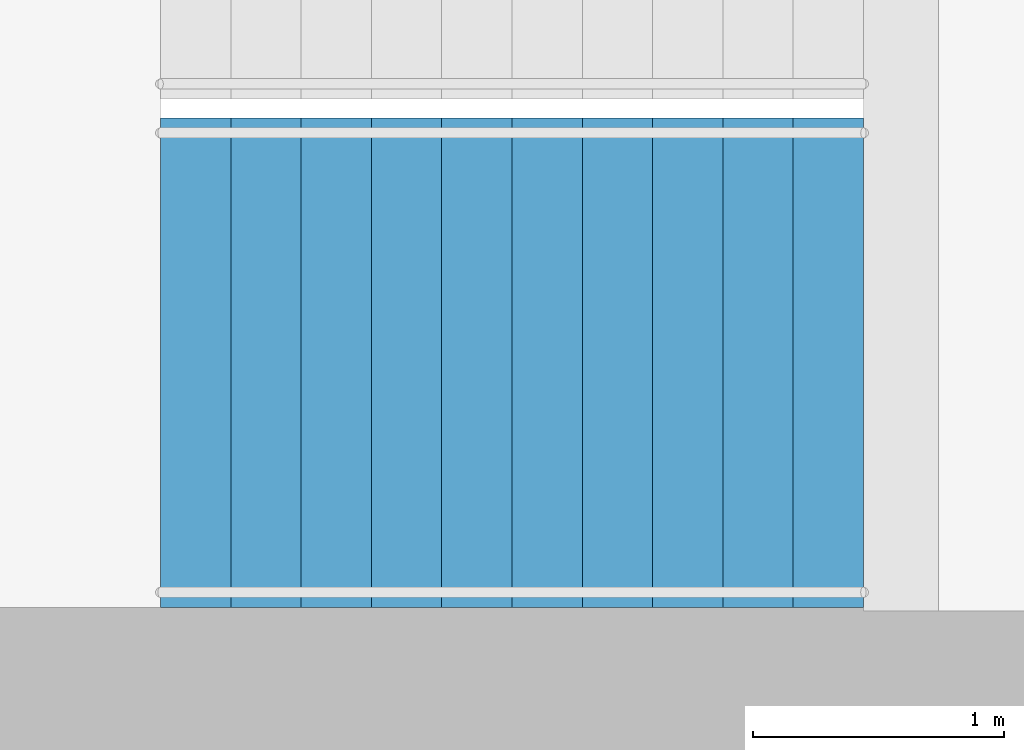
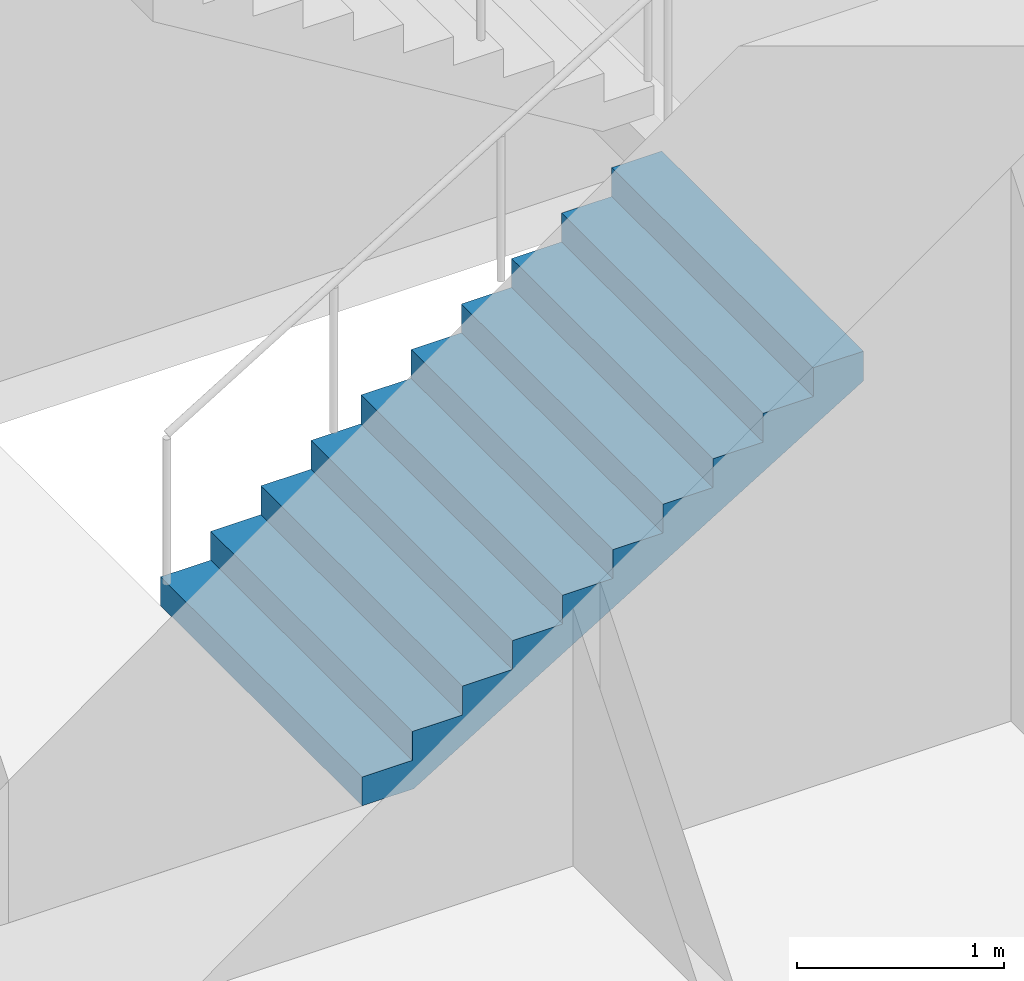
# One storey, part 18 of 22: 1 stair flight, 1 element without a shape of its own.
"""IFC4 building model written with IfcOpenShell, lengths in metres."""

from ifc_helpers import new_model, si_unit, direction, frame, origin, place, context, subcontext, project, spatial, triangles, material, type_object, element, aggregate, save


model = new_model("IFC4")

# Units and contexts
model_context = context("Model", 3, precision=1e-05, world=origin(), true_north=direction((0.0, 1.0)))
body_context = subcontext(model_context, "Body", "Model", "MODEL_VIEW")
ifc_project = project(units=[si_unit("LENGTHUNIT", "METRE"), si_unit("AREAUNIT", "SQUARE_METRE"), si_unit("VOLUMEUNIT", "CUBIC_METRE"), si_unit("PLANEANGLEUNIT", "RADIAN"), si_unit("MASSUNIT", "GRAM", prefix="KILO")], contexts=[model_context])

# Site, building, storey
site_placement = place(None, origin())
site = spatial("IfcSite", under=ifc_project, at=site_placement, CompositionType="ELEMENT")
building_placement = place(site_placement, origin())
building = spatial("IfcBuilding", under=site, at=building_placement, Name="Orbita Commons", CompositionType="ELEMENT")
storey_placement = place(building_placement, frame((0.0, 0.0, 121.89990234375)))
storey = spatial("IfcBuildingStorey", under=building, at=storey_placement, Name="L30", CompositionType="ELEMENT", Elevation=121.89990234375)

# Stair, stair flight
ifc_material_1 = material(Name="Precast concrete C40/50", Category="concrete")
stair_type = type_object("IfcStairType", Name="Exit stair S1 2 flights 11 risers 170", PredefinedType="HALF_TURN_STAIR", material=ifc_material_1)
stair_placement = place(storey_placement, origin())
stair = element("IfcStair", 1, at=stair_placement, inside=storey, type_object=stair_type, Name="Exit stair S1 L30", PredefinedType="HALF_TURN_STAIR")
ifc_material_2 = material(Name="Precast concrete C40/50", Category="concrete")
stair_flight_type = type_object("IfcStairFlightType", Name="Stair flight 11 risers 170 x 280", PredefinedType="STRAIGHT", material=ifc_material_2)
stair_flight_placement = place(storey_placement, frame((20.449951171875, 27.25, 0.0), z_axis=(0.0, 0.0, 1.0), x_axis=(1.0, 0.0, 0.0)))
stair_flight = element("IfcStairFlight", 2, at=stair_flight_placement, type_object=stair_flight_type, Name="S1 flight 1", NumberOfRisers=11, NumberOfTreads=10, PredefinedType="STRAIGHT", RiserHeight=0.170454545, TreadLength=0.28, context=body_context, shape_type="Tessellation", body=[
    triangles([(0.0, 0.974976, 0.0), (0.0, 0.974976, 0.021307), (0.0, 0.81248, 0.021307), (0.0, 0.81248, 0.0), (0.0, 0.649984, 0.021307), (0.0, 0.649984, 0.0), (0.0, 0.487488, 0.021307), (0.0, 0.487488, 0.0), (0.0, 0.324992, 0.021307), (0.0, 0.324992, 0.0), (0.0, 0.162496, 0.021307), (0.0, 0.162496, 0.0), (0.0, 0.0, 0.021307), (0.0, 0.0, 0.0), (0.0, -0.162496, 0.021307), (0.0, -0.162496, 0.0), (0.0, -0.324992, 0.021307), (0.0, -0.324992, 0.0), (0.0, -0.487488, 0.021307), (0.0, -0.487488, 0.0), (0.0, -0.649984, 0.021307), (0.0, -0.649984, 0.0), (0.0, -0.81248, 0.021307), (0.0, -0.81248, 0.0), (0.0, -0.974976, 0.021307), (0.0, -0.974976, 0.0), (0.0, 0.974976, 0.042614), (0.0, 0.81248, 0.042614), (0.0, 0.649984, 0.042614), (0.0, 0.487488, 0.042614), (0.0, 0.324992, 0.042614), (0.0, 0.162496, 0.042614), (0.0, 0.0, 0.042614), (0.0, -0.162496, 0.042614), (0.0, -0.324992, 0.042614), (0.0, -0.487488, 0.042614), (0.0, -0.649984, 0.042614), (0.0, -0.81248, 0.042614), (0.0, -0.974976, 0.042614), (0.0, 0.974976, 0.06392), (0.0, 0.81248, 0.06392), (0.0, 0.649984, 0.06392), (0.0, 0.487488, 0.06392), (0.0, 0.324992, 0.06392), (0.0, 0.162496, 0.06392), (0.0, 0.0, 0.06392), (0.0, -0.162496, 0.06392), (0.0, -0.324992, 0.06392), (0.0, -0.487488, 0.06392), (0.0, -0.649984, 0.06392), (0.0, -0.81248, 0.06392), (0.0, -0.974976, 0.06392), (0.0, 0.974976, 0.085227), (0.0, 0.81248, 0.085227), (0.0, 0.649984, 0.085227), (0.0, 0.487488, 0.085227), (0.0, 0.324992, 0.085227), (0.0, 0.162496, 0.085227), (0.0, 0.0, 0.085227), (0.0, -0.162496, 0.085227), (0.0, -0.324992, 0.085227), (0.0, -0.487488, 0.085227), (0.0, -0.649984, 0.085227), (0.0, -0.81248, 0.085227), (0.0, -0.974976, 0.085227), (0.0, 0.974976, 0.106534), (0.0, 0.81248, 0.106534), (0.0, 0.649984, 0.106534), (0.0, 0.487488, 0.106534), (0.0, 0.324992, 0.106534), (0.0, 0.162496, 0.106534), (0.0, 0.0, 0.106534), (0.0, -0.162496, 0.106534), (0.0, -0.324992, 0.106534), (0.0, -0.487488, 0.106534), (0.0, -0.649984, 0.106534), (0.0, -0.81248, 0.106534), (0.0, -0.974976, 0.106534), (0.0, 0.974976, 0.127841), (0.0, 0.81248, 0.127841), (0.0, 0.649984, 0.127841), (0.0, 0.487488, 0.127841), (0.0, 0.324992, 0.127841), (0.0, 0.162496, 0.127841), (0.0, 0.0, 0.127841), (0.0, -0.162496, 0.127841), (0.0, -0.324992, 0.127841), (0.0, -0.487488, 0.127841), (0.0, -0.649984, 0.127841), (0.0, -0.81248, 0.127841), (0.0, -0.974976, 0.127841), (0.0, 0.974976, 0.149148), (0.0, 0.81248, 0.149148), (0.0, 0.649984, 0.149148), (0.0, 0.487488, 0.149148), (0.0, 0.324992, 0.149148), (0.0, 0.162496, 0.149148), (0.0, 0.0, 0.149148), (0.0, -0.162496, 0.149148), (0.0, -0.324992, 0.149148), (0.0, -0.487488, 0.149148), (0.0, -0.649984, 0.149148), (0.0, -0.81248, 0.149148), (0.0, -0.974976, 0.149148), (0.0, 0.974976, 0.170455), (0.0, 0.81248, 0.170455), (0.0, 0.649984, 0.170455), (0.0, 0.487488, 0.170455), (0.0, 0.324992, 0.170455), (0.0, 0.162496, 0.170455), (0.0, 0.0, 0.170455), (0.0, -0.162496, 0.170455), (0.0, -0.324992, 0.170455), (0.0, -0.487488, 0.170455), (0.0, -0.649984, 0.170455), (0.0, -0.81248, 0.170455), (0.0, -0.974976, 0.170455), (0.28, 0.974976, 0.170455), (0.28, 0.81248, 0.170455), (0.28, 0.649984, 0.170455), (0.28, 0.487488, 0.170455), (0.28, 0.324992, 0.170455), (0.28, 0.162496, 0.170455), (0.28, 0.0, 0.170455), (0.28, -0.162496, 0.170455), (0.28, -0.324992, 0.170455), (0.28, -0.487488, 0.170455), (0.28, -0.649984, 0.170455), (0.28, -0.81248, 0.170455), (0.28, -0.974976, 0.170455), (0.28, 0.974976, 0.340909), (0.28, 0.81248, 0.340909), (0.28, 0.649984, 0.340909), (0.28, 0.487488, 0.340909), (0.28, 0.324992, 0.340909), (0.28, 0.162496, 0.340909), (0.28, 0.0, 0.340909), (0.28, -0.162496, 0.340909), (0.28, -0.324992, 0.340909), (0.28, -0.487488, 0.340909), (0.28, -0.649984, 0.340909), (0.28, -0.81248, 0.340909), (0.28, -0.974976, 0.340909), (0.56, 0.974976, 0.340909), (0.56, 0.81248, 0.340909), (0.56, 0.649984, 0.340909), (0.56, 0.487488, 0.340909), (0.56, 0.324992, 0.340909), (0.56, 0.162496, 0.340909), (0.56, 0.0, 0.340909), (0.56, -0.162496, 0.340909), (0.56, -0.324992, 0.340909), (0.56, -0.487488, 0.340909), (0.56, -0.649984, 0.340909), (0.56, -0.81248, 0.340909), (0.56, -0.974976, 0.340909), (0.56, 0.974976, 0.511364), (0.56, 0.81248, 0.511364), (0.56, 0.649984, 0.511364), (0.56, 0.487488, 0.511364), (0.56, 0.324992, 0.511364), (0.56, 0.162496, 0.511364), (0.56, 0.0, 0.511364), (0.56, -0.162496, 0.511364), (0.56, -0.324992, 0.511364), (0.56, -0.487488, 0.511364), (0.56, -0.649984, 0.511364), (0.56, -0.81248, 0.511364), (0.56, -0.974976, 0.511364), (0.84, 0.974976, 0.511364), (0.84, 0.81248, 0.511364), (0.84, 0.649984, 0.511364), (0.84, 0.487488, 0.511364), (0.84, 0.324992, 0.511364), (0.84, 0.162496, 0.511364), (0.84, 0.0, 0.511364), (0.84, -0.162496, 0.511364), (0.84, -0.324992, 0.511364), (0.84, -0.487488, 0.511364), (0.84, -0.649984, 0.511364), (0.84, -0.81248, 0.511364), (0.84, -0.974976, 0.511364), (0.84, 0.974976, 0.681818), (0.84, 0.81248, 0.681818), (0.84, 0.649984, 0.681818), (0.84, 0.487488, 0.681818), (0.84, 0.324992, 0.681818), (0.84, 0.162496, 0.681818), (0.84, 0.0, 0.681818), (0.84, -0.162496, 0.681818), (0.84, -0.324992, 0.681818), (0.84, -0.487488, 0.681818), (0.84, -0.649984, 0.681818), (0.84, -0.81248, 0.681818), (0.84, -0.974976, 0.681818), (1.12, 0.974976, 0.681818), (1.12, 0.81248, 0.681818), (1.12, 0.649984, 0.681818), (1.12, 0.487488, 0.681818), (1.12, 0.324992, 0.681818), (1.12, 0.162496, 0.681818), (1.12, 0.0, 0.681818), (1.12, -0.162496, 0.681818), (1.12, -0.324992, 0.681818), (1.12, -0.487488, 0.681818), (1.12, -0.649984, 0.681818), (1.12, -0.81248, 0.681818), (1.12, -0.974976, 0.681818), (1.12, 0.974976, 0.852273), (1.12, 0.81248, 0.852273), (1.12, 0.649984, 0.852273), (1.12, 0.487488, 0.852273), (1.12, 0.324992, 0.852273), (1.12, 0.162496, 0.852273), (1.12, 0.0, 0.852273), (1.12, -0.162496, 0.852273), (1.12, -0.324992, 0.852273), (1.12, -0.487488, 0.852273), (1.12, -0.649984, 0.852273), (1.12, -0.81248, 0.852273), (1.12, -0.974976, 0.852273), (1.4, 0.974976, 0.852273), (1.4, 0.81248, 0.852273), (1.4, 0.649984, 0.852273), (1.4, 0.487488, 0.852273), (1.4, 0.324992, 0.852273), (1.4, 0.162496, 0.852273), (1.4, 0.0, 0.852273), (1.4, -0.162496, 0.852273), (1.4, -0.324992, 0.852273), (1.4, -0.487488, 0.852273), (1.4, -0.649984, 0.852273), (1.4, -0.81248, 0.852273), (1.4, -0.974976, 0.852273), (1.4, 0.974976, 1.022727), (1.4, 0.81248, 1.022727), (1.4, 0.649984, 1.022727), (1.4, 0.487488, 1.022727), (1.4, 0.324992, 1.022727), (1.4, 0.162496, 1.022727), (1.4, 0.0, 1.022727), (1.4, -0.162496, 1.022727), (1.4, -0.324992, 1.022727), (1.4, -0.487488, 1.022727), (1.4, -0.649984, 1.022727), (1.4, -0.81248, 1.022727), (1.4, -0.974976, 1.022727), (1.68, 0.974976, 1.022727), (1.68, 0.81248, 1.022727), (1.68, 0.649984, 1.022727), (1.68, 0.487488, 1.022727), (1.68, 0.324992, 1.022727), (1.68, 0.162496, 1.022727), (1.68, 0.0, 1.022727), (1.68, -0.162496, 1.022727), (1.68, -0.324992, 1.022727), (1.68, -0.487488, 1.022727), (1.68, -0.649984, 1.022727), (1.68, -0.81248, 1.022727), (1.68, -0.974976, 1.022727), (1.68, 0.974976, 1.193182), (1.68, 0.81248, 1.193182), (1.68, 0.649984, 1.193182), (1.68, 0.487488, 1.193182), (1.68, 0.324992, 1.193182), (1.68, 0.162496, 1.193182), (1.68, 0.0, 1.193182), (1.68, -0.162496, 1.193182), (1.68, -0.324992, 1.193182), (1.68, -0.487488, 1.193182), (1.68, -0.649984, 1.193182), (1.68, -0.81248, 1.193182), (1.68, -0.974976, 1.193182), (1.96, 0.974976, 1.193182), (1.96, 0.81248, 1.193182), (1.96, 0.649984, 1.193182), (1.96, 0.487488, 1.193182), (1.96, 0.324992, 1.193182), (1.96, 0.162496, 1.193182), (1.96, 0.0, 1.193182), (1.96, -0.162496, 1.193182), (1.96, -0.324992, 1.193182), (1.96, -0.487488, 1.193182), (1.96, -0.649984, 1.193182), (1.96, -0.81248, 1.193182), (1.96, -0.974976, 1.193182), (1.96, 0.974976, 1.363636), (1.96, 0.81248, 1.363636), (1.96, 0.649984, 1.363636), (1.96, 0.487488, 1.363636), (1.96, 0.324992, 1.363636), (1.96, 0.162496, 1.363636), (1.96, 0.0, 1.363636), (1.96, -0.162496, 1.363636), (1.96, -0.324992, 1.363636), (1.96, -0.487488, 1.363636), (1.96, -0.649984, 1.363636), (1.96, -0.81248, 1.363636), (1.96, -0.974976, 1.363636), (2.24, 0.974976, 1.363636), (2.24, 0.81248, 1.363636), (2.24, 0.649984, 1.363636), (2.24, 0.487488, 1.363636), (2.24, 0.324992, 1.363636), (2.24, 0.162496, 1.363636), (2.24, 0.0, 1.363636), (2.24, -0.162496, 1.363636), (2.24, -0.324992, 1.363636), (2.24, -0.487488, 1.363636), (2.24, -0.649984, 1.363636), (2.24, -0.81248, 1.363636), (2.24, -0.974976, 1.363636), (2.24, 0.974976, 1.534091), (2.24, 0.81248, 1.534091), (2.24, 0.649984, 1.534091), (2.24, 0.487488, 1.534091), (2.24, 0.324992, 1.534091), (2.24, 0.162496, 1.534091), (2.24, 0.0, 1.534091), (2.24, -0.162496, 1.534091), (2.24, -0.324992, 1.534091), (2.24, -0.487488, 1.534091), (2.24, -0.649984, 1.534091), (2.24, -0.81248, 1.534091), (2.24, -0.974976, 1.534091), (2.52, 0.974976, 1.534091), (2.52, 0.81248, 1.534091), (2.52, 0.649984, 1.534091), (2.52, 0.487488, 1.534091), (2.52, 0.324992, 1.534091), (2.52, 0.162496, 1.534091), (2.52, 0.0, 1.534091), (2.52, -0.162496, 1.534091), (2.52, -0.324992, 1.534091), (2.52, -0.487488, 1.534091), (2.52, -0.649984, 1.534091), (2.52, -0.81248, 1.534091), (2.52, -0.974976, 1.534091), (2.52, 0.974976, 1.704545), (2.52, 0.81248, 1.704545), (2.52, 0.649984, 1.704545), (2.52, 0.487488, 1.704545), (2.52, 0.324992, 1.704545), (2.52, 0.162496, 1.704545), (2.52, 0.0, 1.704545), (2.52, -0.162496, 1.704545), (2.52, -0.324992, 1.704545), (2.52, -0.487488, 1.704545), (2.52, -0.649984, 1.704545), (2.52, -0.81248, 1.704545), (2.52, -0.974976, 1.704545), (2.8, 0.974976, 1.704545), (2.8, 0.81248, 1.704545), (2.8, 0.649984, 1.704545), (2.8, 0.487488, 1.704545), (2.8, 0.324992, 1.704545), (2.8, 0.162496, 1.704545), (2.8, 0.0, 1.704545), (2.8, -0.162496, 1.704545), (2.8, -0.324992, 1.704545), (2.8, -0.487488, 1.704545), (2.8, -0.649984, 1.704545), (2.8, -0.81248, 1.704545), (2.8, -0.974976, 1.704545), (2.8, 0.974976, 1.682609), (2.8, 0.81248, 1.682609), (2.8, 0.649984, 1.682609), (2.8, 0.487488, 1.682609), (2.8, 0.324992, 1.682609), (2.8, 0.162496, 1.682609), (2.8, 0.0, 1.682609), (2.8, -0.162496, 1.682609), (2.8, -0.324992, 1.682609), (2.8, -0.487488, 1.682609), (2.8, -0.649984, 1.682609), (2.8, -0.81248, 1.682609), (2.8, -0.974976, 1.682609), (2.8, 0.974976, 1.660672), (2.8, 0.81248, 1.660672), (2.8, 0.649984, 1.660672), (2.8, 0.487488, 1.660672), (2.8, 0.324992, 1.660672), (2.8, 0.162496, 1.660672), (2.8, 0.0, 1.660672), (2.8, -0.162496, 1.660672), (2.8, -0.324992, 1.660672), (2.8, -0.487488, 1.660672), (2.8, -0.649984, 1.660672), (2.8, -0.81248, 1.660672), (2.8, -0.974976, 1.660672), (2.8, 0.974976, 1.638735), (2.8, 0.81248, 1.638735), (2.8, 0.649984, 1.638735), (2.8, 0.487488, 1.638735), (2.8, 0.324992, 1.638735), (2.8, 0.162496, 1.638735), (2.8, 0.0, 1.638735), (2.8, -0.162496, 1.638735), (2.8, -0.324992, 1.638735), (2.8, -0.487488, 1.638735), (2.8, -0.649984, 1.638735), (2.8, -0.81248, 1.638735), (2.8, -0.974976, 1.638735), (2.8, 0.974976, 1.616798), (2.8, 0.81248, 1.616798), (2.8, 0.649984, 1.616798), (2.8, 0.487488, 1.616798), (2.8, 0.324992, 1.616798), (2.8, 0.162496, 1.616798), (2.8, 0.0, 1.616798), (2.8, -0.162496, 1.616798), (2.8, -0.324992, 1.616798), (2.8, -0.487488, 1.616798), (2.8, -0.649984, 1.616798), (2.8, -0.81248, 1.616798), (2.8, -0.974976, 1.616798), (2.8, 0.974976, 1.594861), (2.8, 0.81248, 1.594861), (2.8, 0.649984, 1.594861), (2.8, 0.487488, 1.594861), (2.8, 0.324992, 1.594861), (2.8, 0.162496, 1.594861), (2.8, 0.0, 1.594861), (2.8, -0.162496, 1.594861), (2.8, -0.324992, 1.594861), (2.8, -0.487488, 1.594861), (2.8, -0.649984, 1.594861), (2.8, -0.81248, 1.594861), (2.8, -0.974976, 1.594861), (2.8, 0.974976, 1.572925), (2.8, 0.81248, 1.572925), (2.8, 0.649984, 1.572925), (2.8, 0.487488, 1.572925), (2.8, 0.324992, 1.572925), (2.8, 0.162496, 1.572925), (2.8, 0.0, 1.572925), (2.8, -0.162496, 1.572925), (2.8, -0.324992, 1.572925), (2.8, -0.487488, 1.572925), (2.8, -0.649984, 1.572925), (2.8, -0.81248, 1.572925), (2.8, -0.974976, 1.572925), (2.8, 0.974976, 1.550988), (2.8, 0.81248, 1.550988), (2.8, 0.649984, 1.550988), (2.8, 0.487488, 1.550988), (2.8, 0.324992, 1.550988), (2.8, 0.162496, 1.550988), (2.8, 0.0, 1.550988), (2.8, -0.162496, 1.550988), (2.8, -0.324992, 1.550988), (2.8, -0.487488, 1.550988), (2.8, -0.649984, 1.550988), (2.8, -0.81248, 1.550988), (2.8, -0.974976, 1.550988), (2.8, 0.974976, 1.529051), (2.8, 0.81248, 1.529051), (2.8, 0.649984, 1.529051), (2.8, 0.487488, 1.529051), (2.8, 0.324992, 1.529051), (2.8, 0.162496, 1.529051), (2.8, 0.0, 1.529051), (2.8, -0.162496, 1.529051), (2.8, -0.324992, 1.529051), (2.8, -0.487488, 1.529051), (2.8, -0.649984, 1.529051), (2.8, -0.81248, 1.529051), (2.8, -0.974976, 1.529051), (0.288279, 0.974976, 0.0), (0.288279, 0.81248, 0.0), (0.288279, 0.649984, 0.0), (0.288279, 0.487488, 0.0), (0.288279, 0.324992, 0.0), (0.288279, 0.162496, 0.0), (0.288279, 0.0, 0.0), (0.288279, -0.162496, 0.0), (0.288279, -0.324992, 0.0), (0.288279, -0.487488, 0.0), (0.288279, -0.649984, 0.0), (0.288279, -0.81248, 0.0), (0.288279, -0.974976, 0.0)], [[3, 2, 1], [4, 3, 1], [5, 3, 4], [6, 5, 4], [7, 5, 6], [8, 7, 6], [9, 7, 8], [10, 9, 8], [11, 9, 10], [12, 11, 10], [13, 11, 12], [14, 13, 12], [15, 13, 14], [16, 15, 14], [17, 15, 16], [18, 17, 16], [19, 17, 18], [20, 19, 18], [21, 19, 20], [22, 21, 20], [23, 21, 22], [24, 23, 22], [25, 23, 24], [26, 25, 24], [28, 27, 2], [3, 28, 2], [29, 28, 3], [5, 29, 3], [30, 29, 5], [7, 30, 5], [31, 30, 7], [9, 31, 7], [32, 31, 9], [11, 32, 9], [33, 32, 11], [13, 33, 11], [34, 33, 13], [15, 34, 13], [35, 34, 15], [17, 35, 15], [36, 35, 17], [19, 36, 17], [37, 36, 19], [21, 37, 19], [38, 37, 21], [23, 38, 21], [39, 38, 23], [25, 39, 23], [41, 40, 27], [28, 41, 27], [42, 41, 28], [29, 42, 28], [43, 42, 29], [30, 43, 29], [44, 43, 30], [31, 44, 30], [45, 44, 31], [32, 45, 31], [46, 45, 32], [33, 46, 32], [47, 46, 33], [34, 47, 33], [48, 47, 34], [35, 48, 34], [49, 48, 35], [36, 49, 35], [50, 49, 36], [37, 50, 36], [51, 50, 37], [38, 51, 37], [52, 51, 38], [39, 52, 38], [54, 53, 40], [41, 54, 40], [55, 54, 41], [42, 55, 41], [56, 55, 42], [43, 56, 42], [57, 56, 43], [44, 57, 43], [58, 57, 44], [45, 58, 44], [59, 58, 45], [46, 59, 45], [60, 59, 46], [47, 60, 46], [61, 60, 47], [48, 61, 47], [62, 61, 48], [49, 62, 48], [63, 62, 49], [50, 63, 49], [64, 63, 50], [51, 64, 50], [65, 64, 51], [52, 65, 51], [67, 66, 53], [54, 67, 53], [68, 67, 54], [55, 68, 54], [69, 68, 55], [56, 69, 55], [70, 69, 56], [57, 70, 56], [71, 70, 57], [58, 71, 57], [72, 71, 58], [59, 72, 58], [73, 72, 59], [60, 73, 59], [74, 73, 60], [61, 74, 60], [75, 74, 61], [62, 75, 61], [76, 75, 62], [63, 76, 62], [77, 76, 63], [64, 77, 63], [78, 77, 64], [65, 78, 64], [80, 79, 66], [67, 80, 66], [81, 80, 67], [68, 81, 67], [82, 81, 68], [69, 82, 68], [83, 82, 69], [70, 83, 69], [84, 83, 70], [71, 84, 70], [85, 84, 71], [72, 85, 71], [86, 85, 72], [73, 86, 72], [87, 86, 73], [74, 87, 73], [88, 87, 74], [75, 88, 74], [89, 88, 75], [76, 89, 75], [90, 89, 76], [77, 90, 76], [91, 90, 77], [78, 91, 77], [93, 92, 79], [80, 93, 79], [94, 93, 80], [81, 94, 80], [95, 94, 81], [82, 95, 81], [96, 95, 82], [83, 96, 82], [97, 96, 83], [84, 97, 83], [98, 97, 84], [85, 98, 84], [99, 98, 85], [86, 99, 85], [100, 99, 86], [87, 100, 86], [101, 100, 87], [88, 101, 87], [102, 101, 88], [89, 102, 88], [103, 102, 89], [90, 103, 89], [104, 103, 90], [91, 104, 90], [106, 105, 92], [93, 106, 92], [107, 106, 93], [94, 107, 93], [108, 107, 94], [95, 108, 94], [109, 108, 95], [96, 109, 95], [110, 109, 96], [97, 110, 96], [111, 110, 97], [98, 111, 97], [112, 111, 98], [99, 112, 98], [113, 112, 99], [100, 113, 99], [114, 113, 100], [101, 114, 100], [115, 114, 101], [102, 115, 101], [116, 115, 102], [103, 116, 102], [117, 116, 103], [104, 117, 103], [119, 118, 105], [106, 119, 105], [120, 119, 106], [107, 120, 106], [121, 120, 107], [108, 121, 107], [122, 121, 108], [109, 122, 108], [123, 122, 109], [110, 123, 109], [124, 123, 110], [111, 124, 110], [125, 124, 111], [112, 125, 111], [126, 125, 112], [113, 126, 112], [127, 126, 113], [114, 127, 113], [128, 127, 114], [115, 128, 114], [129, 128, 115], [116, 129, 115], [130, 129, 116], [117, 130, 116], [132, 131, 118], [119, 132, 118], [133, 132, 119], [120, 133, 119], [134, 133, 120], [121, 134, 120], [135, 134, 121], [122, 135, 121], [136, 135, 122], [123, 136, 122], [137, 136, 123], [124, 137, 123], [138, 137, 124], [125, 138, 124], [139, 138, 125], [126, 139, 125], [140, 139, 126], [127, 140, 126], [141, 140, 127], [128, 141, 127], [142, 141, 128], [129, 142, 128], [143, 142, 129], [130, 143, 129], [145, 144, 131], [132, 145, 131], [146, 145, 132], [133, 146, 132], [147, 146, 133], [134, 147, 133], [148, 147, 134], [135, 148, 134], [149, 148, 135], [136, 149, 135], [150, 149, 136], [137, 150, 136], [151, 150, 137], [138, 151, 137], [152, 151, 138], [139, 152, 138], [153, 152, 139], [140, 153, 139], [154, 153, 140], [141, 154, 140], [155, 154, 141], [142, 155, 141], [156, 155, 142], [143, 156, 142], [158, 157, 144], [145, 158, 144], [159, 158, 145], [146, 159, 145], [160, 159, 146], [147, 160, 146], [161, 160, 147], [148, 161, 147], [162, 161, 148], [149, 162, 148], [163, 162, 149], [150, 163, 149], [164, 163, 150], [151, 164, 150], [165, 164, 151], [152, 165, 151], [166, 165, 152], [153, 166, 152], [167, 166, 153], [154, 167, 153], [168, 167, 154], [155, 168, 154], [169, 168, 155], [156, 169, 155], [171, 170, 157], [158, 171, 157], [172, 171, 158], [159, 172, 158], [173, 172, 159], [160, 173, 159], [174, 173, 160], [161, 174, 160], [175, 174, 161], [162, 175, 161], [176, 175, 162], [163, 176, 162], [177, 176, 163], [164, 177, 163], [178, 177, 164], [165, 178, 164], [179, 178, 165], [166, 179, 165], [180, 179, 166], [167, 180, 166], [181, 180, 167], [168, 181, 167], [182, 181, 168], [169, 182, 168], [184, 183, 170], [171, 184, 170], [185, 184, 171], [172, 185, 171], [186, 185, 172], [173, 186, 172], [187, 186, 173], [174, 187, 173], [188, 187, 174], [175, 188, 174], [189, 188, 175], [176, 189, 175], [190, 189, 176], [177, 190, 176], [191, 190, 177], [178, 191, 177], [192, 191, 178], [179, 192, 178], [193, 192, 179], [180, 193, 179], [194, 193, 180], [181, 194, 180], [195, 194, 181], [182, 195, 181], [197, 196, 183], [184, 197, 183], [198, 197, 184], [185, 198, 184], [199, 198, 185], [186, 199, 185], [200, 199, 186], [187, 200, 186], [201, 200, 187], [188, 201, 187], [202, 201, 188], [189, 202, 188], [203, 202, 189], [190, 203, 189], [204, 203, 190], [191, 204, 190], [205, 204, 191], [192, 205, 191], [206, 205, 192], [193, 206, 192], [207, 206, 193], [194, 207, 193], [208, 207, 194], [195, 208, 194], [210, 209, 196], [197, 210, 196], [211, 210, 197], [198, 211, 197], [212, 211, 198], [199, 212, 198], [213, 212, 199], [200, 213, 199], [214, 213, 200], [201, 214, 200], [215, 214, 201], [202, 215, 201], [216, 215, 202], [203, 216, 202], [217, 216, 203], [204, 217, 203], [218, 217, 204], [205, 218, 204], [219, 218, 205], [206, 219, 205], [220, 219, 206], [207, 220, 206], [221, 220, 207], [208, 221, 207], [223, 222, 209], [210, 223, 209], [224, 223, 210], [211, 224, 210], [225, 224, 211], [212, 225, 211], [226, 225, 212], [213, 226, 212], [227, 226, 213], [214, 227, 213], [228, 227, 214], [215, 228, 214], [229, 228, 215], [216, 229, 215], [230, 229, 216], [217, 230, 216], [231, 230, 217], [218, 231, 217], [232, 231, 218], [219, 232, 218], [233, 232, 219], [220, 233, 219], [234, 233, 220], [221, 234, 220], [236, 235, 222], [223, 236, 222], [237, 236, 223], [224, 237, 223], [238, 237, 224], [225, 238, 224], [239, 238, 225], [226, 239, 225], [240, 239, 226], [227, 240, 226], [241, 240, 227], [228, 241, 227], [242, 241, 228], [229, 242, 228], [243, 242, 229], [230, 243, 229], [244, 243, 230], [231, 244, 230], [245, 244, 231], [232, 245, 231], [246, 245, 232], [233, 246, 232], [247, 246, 233], [234, 247, 233], [249, 248, 235], [236, 249, 235], [250, 249, 236], [237, 250, 236], [251, 250, 237], [238, 251, 237], [252, 251, 238], [239, 252, 238], [253, 252, 239], [240, 253, 239], [254, 253, 240], [241, 254, 240], [255, 254, 241], [242, 255, 241], [256, 255, 242], [243, 256, 242], [257, 256, 243], [244, 257, 243], [258, 257, 244], [245, 258, 244], [259, 258, 245], [246, 259, 245], [260, 259, 246], [247, 260, 246], [262, 261, 248], [249, 262, 248], [263, 262, 249], [250, 263, 249], [264, 263, 250], [251, 264, 250], [265, 264, 251], [252, 265, 251], [266, 265, 252], [253, 266, 252], [267, 266, 253], [254, 267, 253], [268, 267, 254], [255, 268, 254], [269, 268, 255], [256, 269, 255], [270, 269, 256], [257, 270, 256], [271, 270, 257], [258, 271, 257], [272, 271, 258], [259, 272, 258], [273, 272, 259], [260, 273, 259], [275, 274, 261], [262, 275, 261], [276, 275, 262], [263, 276, 262], [277, 276, 263], [264, 277, 263], [278, 277, 264], [265, 278, 264], [279, 278, 265], [266, 279, 265], [280, 279, 266], [267, 280, 266], [281, 280, 267], [268, 281, 267], [282, 281, 268], [269, 282, 268], [283, 282, 269], [270, 283, 269], [284, 283, 270], [271, 284, 270], [285, 284, 271], [272, 285, 271], [286, 285, 272], [273, 286, 272], [288, 287, 274], [275, 288, 274], [289, 288, 275], [276, 289, 275], [290, 289, 276], [277, 290, 276], [291, 290, 277], [278, 291, 277], [292, 291, 278], [279, 292, 278], [293, 292, 279], [280, 293, 279], [294, 293, 280], [281, 294, 280], [295, 294, 281], [282, 295, 281], [296, 295, 282], [283, 296, 282], [297, 296, 283], [284, 297, 283], [298, 297, 284], [285, 298, 284], [299, 298, 285], [286, 299, 285], [301, 300, 287], [288, 301, 287], [302, 301, 288], [289, 302, 288], [303, 302, 289], [290, 303, 289], [304, 303, 290], [291, 304, 290], [305, 304, 291], [292, 305, 291], [306, 305, 292], [293, 306, 292], [307, 306, 293], [294, 307, 293], [308, 307, 294], [295, 308, 294], [309, 308, 295], [296, 309, 295], [310, 309, 296], [297, 310, 296], [311, 310, 297], [298, 311, 297], [312, 311, 298], [299, 312, 298], [314, 313, 300], [301, 314, 300], [315, 314, 301], [302, 315, 301], [316, 315, 302], [303, 316, 302], [317, 316, 303], [304, 317, 303], [318, 317, 304], [305, 318, 304], [319, 318, 305], [306, 319, 305], [320, 319, 306], [307, 320, 306], [321, 320, 307], [308, 321, 307], [322, 321, 308], [309, 322, 308], [323, 322, 309], [310, 323, 309], [324, 323, 310], [311, 324, 310], [325, 324, 311], [312, 325, 311], [327, 326, 313], [314, 327, 313], [328, 327, 314], [315, 328, 314], [329, 328, 315], [316, 329, 315], [330, 329, 316], [317, 330, 316], [331, 330, 317], [318, 331, 317], [332, 331, 318], [319, 332, 318], [333, 332, 319], [320, 333, 319], [334, 333, 320], [321, 334, 320], [335, 334, 321], [322, 335, 321], [336, 335, 322], [323, 336, 322], [337, 336, 323], [324, 337, 323], [338, 337, 324], [325, 338, 324], [340, 339, 326], [327, 340, 326], [341, 340, 327], [328, 341, 327], [342, 341, 328], [329, 342, 328], [343, 342, 329], [330, 343, 329], [344, 343, 330], [331, 344, 330], [345, 344, 331], [332, 345, 331], [346, 345, 332], [333, 346, 332], [347, 346, 333], [334, 347, 333], [348, 347, 334], [335, 348, 334], [349, 348, 335], [336, 349, 335], [350, 349, 336], [337, 350, 336], [351, 350, 337], [338, 351, 337], [353, 352, 339], [340, 353, 339], [354, 353, 340], [341, 354, 340], [355, 354, 341], [342, 355, 341], [356, 355, 342], [343, 356, 342], [357, 356, 343], [344, 357, 343], [358, 357, 344], [345, 358, 344], [359, 358, 345], [346, 359, 345], [360, 359, 346], [347, 360, 346], [361, 360, 347], [348, 361, 347], [362, 361, 348], [349, 362, 348], [363, 362, 349], [350, 363, 349], [364, 363, 350], [351, 364, 350], [366, 365, 352], [353, 366, 352], [367, 366, 353], [354, 367, 353], [368, 367, 354], [355, 368, 354], [369, 368, 355], [356, 369, 355], [370, 369, 356], [357, 370, 356], [371, 370, 357], [358, 371, 357], [372, 371, 358], [359, 372, 358], [373, 372, 359], [360, 373, 359], [374, 373, 360], [361, 374, 360], [375, 374, 361], [362, 375, 361], [376, 375, 362], [363, 376, 362], [377, 376, 363], [364, 377, 363], [379, 378, 365], [366, 379, 365], [380, 379, 366], [367, 380, 366], [381, 380, 367], [368, 381, 367], [382, 381, 368], [369, 382, 368], [383, 382, 369], [370, 383, 369], [384, 383, 370], [371, 384, 370], [385, 384, 371], [372, 385, 371], [386, 385, 372], [373, 386, 372], [387, 386, 373], [374, 387, 373], [388, 387, 374], [375, 388, 374], [389, 388, 375], [376, 389, 375], [390, 389, 376], [377, 390, 376], [392, 391, 378], [379, 392, 378], [393, 392, 379], [380, 393, 379], [394, 393, 380], [381, 394, 380], [395, 394, 381], [382, 395, 381], [396, 395, 382], [383, 396, 382], [397, 396, 383], [384, 397, 383], [398, 397, 384], [385, 398, 384], [399, 398, 385], [386, 399, 385], [400, 399, 386], [387, 400, 386], [401, 400, 387], [388, 401, 387], [402, 401, 388], [389, 402, 388], [403, 402, 389], [390, 403, 389], [405, 404, 391], [392, 405, 391], [406, 405, 392], [393, 406, 392], [407, 406, 393], [394, 407, 393], [408, 407, 394], [395, 408, 394], [409, 408, 395], [396, 409, 395], [410, 409, 396], [397, 410, 396], [411, 410, 397], [398, 411, 397], [412, 411, 398], [399, 412, 398], [413, 412, 399], [400, 413, 399], [414, 413, 400], [401, 414, 400], [415, 414, 401], [402, 415, 401], [416, 415, 402], [403, 416, 402], [418, 417, 404], [405, 418, 404], [419, 418, 405], [406, 419, 405], [420, 419, 406], [407, 420, 406], [421, 420, 407], [408, 421, 407], [422, 421, 408], [409, 422, 408], [423, 422, 409], [410, 423, 409], [424, 423, 410], [411, 424, 410], [425, 424, 411], [412, 425, 411], [426, 425, 412], [413, 426, 412], [427, 426, 413], [414, 427, 413], [428, 427, 414], [415, 428, 414], [429, 428, 415], [416, 429, 415], [431, 430, 417], [418, 431, 417], [432, 431, 418], [419, 432, 418], [433, 432, 419], [420, 433, 419], [434, 433, 420], [421, 434, 420], [435, 434, 421], [422, 435, 421], [436, 435, 422], [423, 436, 422], [437, 436, 423], [424, 437, 423], [438, 437, 424], [425, 438, 424], [439, 438, 425], [426, 439, 425], [440, 439, 426], [427, 440, 426], [441, 440, 427], [428, 441, 427], [442, 441, 428], [429, 442, 428], [444, 443, 430], [431, 444, 430], [445, 444, 431], [432, 445, 431], [446, 445, 432], [433, 446, 432], [447, 446, 433], [434, 447, 433], [448, 447, 434], [435, 448, 434], [449, 448, 435], [436, 449, 435], [450, 449, 436], [437, 450, 436], [451, 450, 437], [438, 451, 437], [452, 451, 438], [439, 452, 438], [453, 452, 439], [440, 453, 439], [454, 453, 440], [441, 454, 440], [455, 454, 441], [442, 455, 441], [457, 456, 443], [444, 457, 443], [458, 457, 444], [445, 458, 444], [459, 458, 445], [446, 459, 445], [460, 459, 446], [447, 460, 446], [461, 460, 447], [448, 461, 447], [462, 461, 448], [449, 462, 448], [463, 462, 449], [450, 463, 449], [464, 463, 450], [451, 464, 450], [465, 464, 451], [452, 465, 451], [466, 465, 452], [453, 466, 452], [467, 466, 453], [454, 467, 453], [468, 467, 454], [455, 468, 454], [470, 469, 456], [457, 470, 456], [471, 470, 457], [458, 471, 457], [472, 471, 458], [459, 472, 458], [473, 472, 459], [460, 473, 459], [474, 473, 460], [461, 474, 460], [475, 474, 461], [462, 475, 461], [476, 475, 462], [463, 476, 462], [477, 476, 463], [464, 477, 463], [478, 477, 464], [465, 478, 464], [479, 478, 465], [466, 479, 465], [480, 479, 466], [467, 480, 466], [481, 480, 467], [468, 481, 467], [4, 1, 469], [470, 4, 469], [6, 4, 470], [471, 6, 470], [8, 6, 471], [472, 8, 471], [10, 8, 472], [473, 10, 472], [12, 10, 473], [474, 12, 473], [14, 12, 474], [475, 14, 474], [16, 14, 475], [476, 16, 475], [18, 16, 476], [477, 18, 476], [20, 18, 477], [478, 20, 477], [22, 20, 478], [479, 22, 478], [24, 22, 479], [480, 24, 479], [26, 24, 480], [481, 26, 480], [456, 469, 1], [26, 481, 468], [443, 456, 1], [26, 468, 455], [430, 443, 1], [26, 455, 442], [417, 430, 1], [26, 442, 429], [404, 417, 1], [26, 429, 416], [391, 404, 1], [26, 416, 403], [378, 391, 1], [26, 403, 390], [365, 378, 1], [26, 390, 377], [339, 352, 365], [377, 364, 351], [326, 339, 365], [377, 351, 338], [300, 313, 326], [338, 325, 312], [300, 326, 365], [377, 338, 312], [274, 287, 300], [312, 299, 286], [274, 300, 365], [377, 312, 286], [248, 261, 274], [286, 273, 260], [248, 274, 365], [377, 286, 260], [222, 235, 248], [260, 247, 234], [222, 248, 365], [377, 260, 234], [196, 209, 222], [234, 221, 208], [196, 222, 365], [377, 234, 208], [170, 183, 196], [208, 195, 182], [170, 196, 365], [377, 208, 182], [144, 157, 170], [182, 169, 156], [144, 170, 365], [377, 182, 156], [118, 131, 144], [156, 143, 130], [118, 144, 365], [377, 156, 130], [118, 365, 1], [26, 377, 130], [92, 105, 118], [130, 117, 104], [79, 92, 118], [130, 104, 91], [66, 79, 118], [130, 91, 78], [53, 66, 118], [130, 78, 65], [40, 53, 118], [130, 65, 52], [27, 40, 118], [130, 52, 39], [2, 27, 118], [130, 39, 25], [1, 2, 118], [130, 25, 26]], closed=True),
])
aggregate(stair, [stair_flight])

save(model, "model.ifc")
